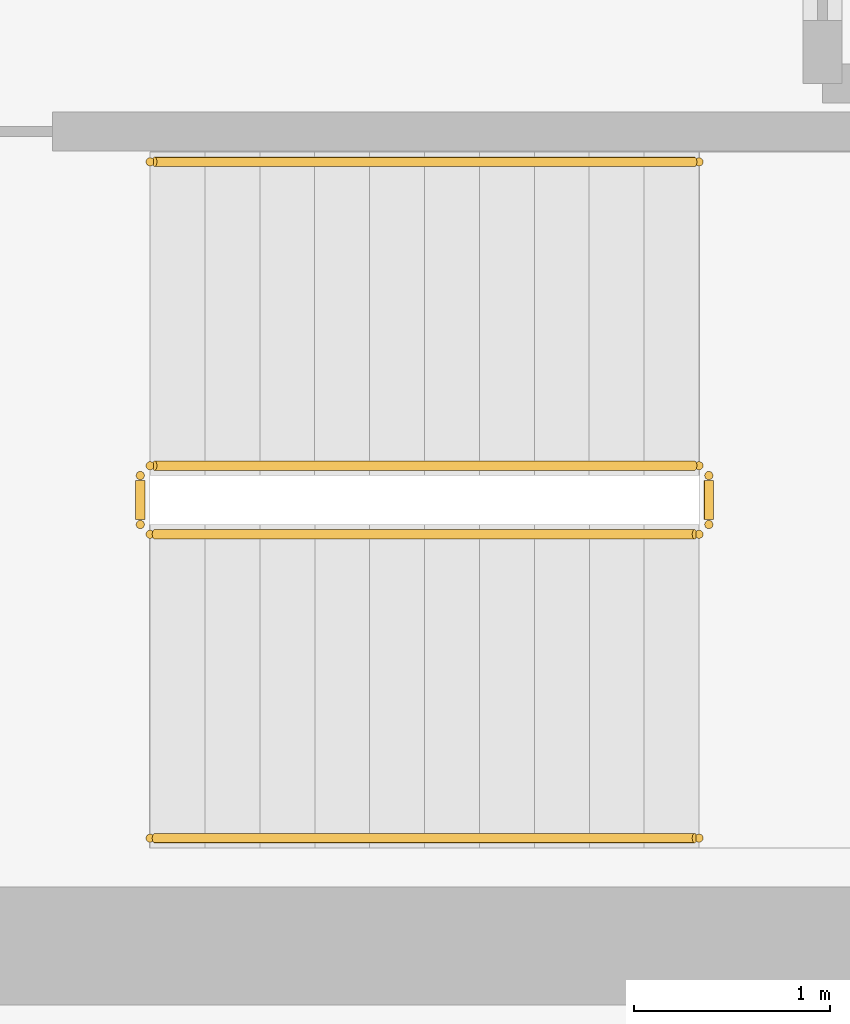
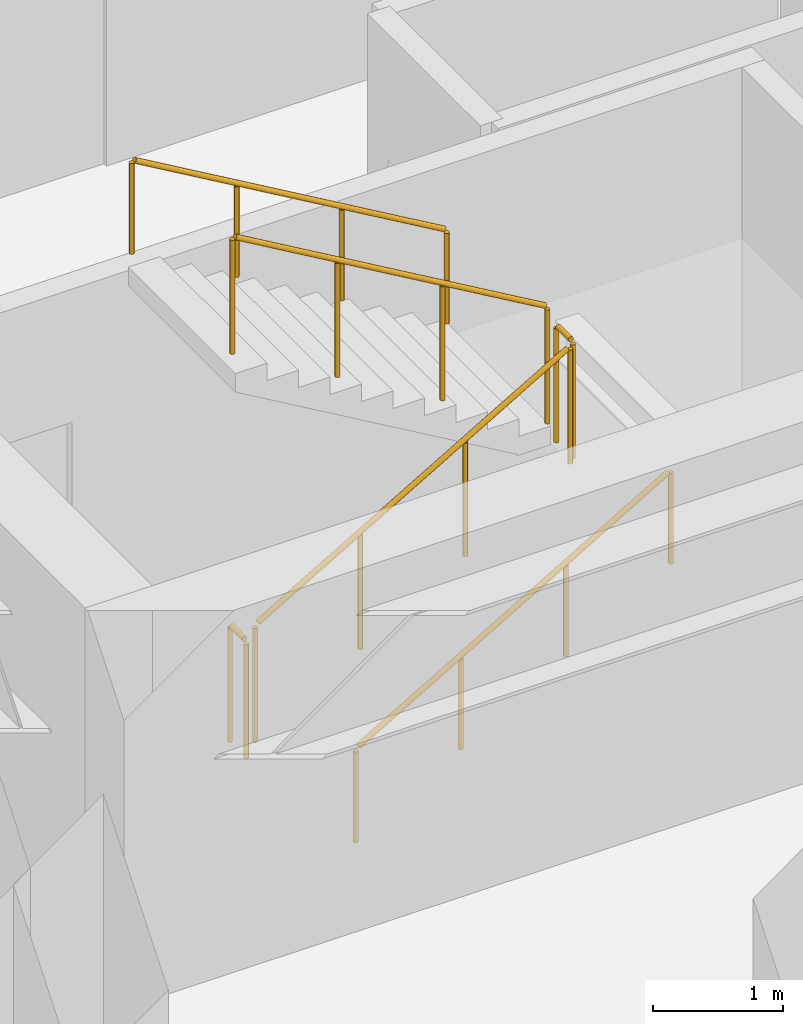
# One storey, part 13 of 13: 6 railings.
"""IFC4 building model written with IfcOpenShell, lengths in metres."""

from ifc_helpers import new_model, si_unit, direction, frame, origin, origin_2d, place, context, subcontext, project, spatial, circle, extrude, source, transform, mapped, material, layer, layer_set, type_object, element, save


model = new_model("IFC4")

# Units and contexts
model_context = context("Model", 3, precision=1e-05, world=origin(), true_north=direction((0.0, 1.0)))
body_context = subcontext(model_context, "Body", "Model", "MODEL_VIEW")
ifc_project = project(units=[si_unit("LENGTHUNIT", "METRE"), si_unit("AREAUNIT", "SQUARE_METRE"), si_unit("VOLUMEUNIT", "CUBIC_METRE"), si_unit("PLANEANGLEUNIT", "RADIAN"), si_unit("MASSUNIT", "GRAM", prefix="KILO")], contexts=[model_context])

# Site, building, storey
site_placement = place(None, origin())
site = spatial("IfcSite", under=ifc_project, at=site_placement, CompositionType="ELEMENT")
building_placement = place(site_placement, origin())
building = spatial("IfcBuilding", under=site, at=building_placement, Name="Kharzan Plaza Tower", CompositionType="ELEMENT")
storey_placement = place(building_placement, frame((0.0, 0.0, 189.89990234375)))
storey = spatial("IfcBuildingStorey", under=building, at=storey_placement, Name="L51", CompositionType="ELEMENT", Elevation=189.89990234375)

# Railings
ifc_material_1 = material(Name="Painted Galvanized Architectural Steel", Category="steel")
ifc_layer_1 = layer(ifc_material_1, 0.074951171875)
ifc_layer_set_1 = layer_set([ifc_layer_1], Name="Painted Galvanized Architectural Steel")
railing_type_1 = type_object("IfcRailingType", Name="RL-GUARD-1120", PredefinedType="BALUSTRADE", material=ifc_layer_set_1)
shared_shape_1 = source(origin(), body_context, "Body", "SweptSolid", [
    extrude(circle(Radius=0.02392578125, at=origin_2d()), frame((0.0, 0.0263671875, 1.09619140625), z_axis=(0.0, 1.0, 0.0), x_axis=(-1.0, 0.0, 0.0)), (0.0, 0.0, 1.0), 0.197021484375),
    extrude(circle(Radius=0.02099609375, at=origin_2d()), origin(), (0.0, 0.0, 1.0), 1.072021484375),
    extrude(circle(Radius=0.02099609375, at=origin_2d()), frame((0.0, 0.25, 0.0)), (0.0, 0.0, 1.0), 1.072021484375),
])
for number, where, name in (
    (1, (41.10009765625, 6.64990234375, 1.800048828125), "L51 ST-3 stair guard 2"),
    (2, (38.199951171875, 6.64990234375, 0.0), "L51 ST-3 stair guard 4"),
):
    element("IfcRailing", number, at=place(storey_placement, frame(where)), inside=storey, type_object=railing_type_1, Name=name, PredefinedType="BALUSTRADE", context=body_context, shape_type="MappedRepresentation", body=[
        mapped(shared_shape_1, transform((0.0, 0.0, 0.0), x_axis=(1.0, 0.0, 0.0), y_axis=(0.0, 1.0, 0.0), z_axis=(0.0, 0.0, 1.0))),
    ])
shared_shape_2 = source(origin(), body_context, "Body", "SweptSolid", [
    extrude(circle(Radius=0.02392578125, at=origin_2d()), frame((-0.02294921875, 0.0, 1.109375), z_axis=(-0.863360870873, 0.0, 0.504586966384), x_axis=(0.0, -1.0, 0.0)), (0.0, 0.0, 1.0), 3.190185546875),
    extrude(circle(Radius=0.02099609375, at=origin_2d()), origin(), (0.0, 0.0, 1.0), 1.072021484375),
    extrude(circle(Radius=0.02099609375, at=origin_2d()), frame((-0.933349609375, 0.0, 0.54541015625)), (0.0, 0.0, 1.0), 1.072021484375),
    extrude(circle(Radius=0.02099609375, at=origin_2d()), frame((-1.86669921875, 0.0, 1.091064453125)), (0.0, 0.0, 1.0), 1.072021484375),
    extrude(circle(Radius=0.02099609375, at=origin_2d()), frame((-2.800048828125, 0.0, 1.636474609375)), (0.0, 0.0, 1.0), 1.072021484375),
])
railing_1_placement = place(storey_placement, frame((41.050048828125, 6.949951171875, 1.963623046875)))
element("IfcRailing", 3, at=railing_1_placement, inside=storey, type_object=railing_type_1, Name="L51 ST-3 stair guard 3", PredefinedType="BALUSTRADE", context=body_context, shape_type="MappedRepresentation", body=[
    mapped(shared_shape_2, transform((0.0, 0.0, 0.0), x_axis=(1.0, 0.0, 0.0), y_axis=(0.0, 1.0, 0.0), z_axis=(0.0, 0.0, 1.0))),
])
ifc_material_2 = material(Name="Brushed Stainless Steel", Category="steel")
ifc_layer_2 = layer(ifc_material_2, 0.050048828125)
ifc_layer_set_2 = layer_set([ifc_layer_2], Name="Brushed Stainless Steel")
railing_type_2 = type_object("IfcRailingType", Name="RL-STAIR-HR920", PredefinedType="HANDRAIL", material=ifc_layer_set_2)
shared_shape_3 = source(origin(), body_context, "Body", "SweptSolid", [
    extrude(circle(Radius=0.02392578125, at=origin_2d()), frame((-0.02294921875, 0.0, 0.88916015625), z_axis=(-0.863360870873, 0.0, 0.504586966384), x_axis=(0.0, -1.0, 0.0)), (0.0, 0.0, 1.0), 3.190185546875),
    extrude(circle(Radius=0.02099609375, at=origin_2d()), origin(), (0.0, 0.0, 1.0), 0.851806640625),
    extrude(circle(Radius=0.02099609375, at=origin_2d()), frame((-0.933349609375, 0.0, 0.54541015625)), (0.0, 0.0, 1.0), 0.851806640625),
    extrude(circle(Radius=0.02099609375, at=origin_2d()), frame((-1.86669921875, 0.0, 1.091064453125)), (0.0, 0.0, 1.0), 0.851806640625),
    extrude(circle(Radius=0.02099609375, at=origin_2d()), frame((-2.800048828125, 0.0, 1.636474609375)), (0.0, 0.0, 1.0), 0.851806640625),
])
railing_2_placement = place(storey_placement, frame((41.050048828125, 8.5, 1.963623046875)))
element("IfcRailing", 4, at=railing_2_placement, inside=storey, type_object=railing_type_2, Name="L51 ST-3 stair handrail 2", PredefinedType="HANDRAIL", context=body_context, shape_type="MappedRepresentation", body=[
    mapped(shared_shape_3, transform((0.0, 0.0, 0.0), x_axis=(1.0, 0.0, 0.0), y_axis=(0.0, 1.0, 0.0), z_axis=(0.0, 0.0, 1.0))),
])
shared_shape_4 = source(origin(), body_context, "Body", "SweptSolid", [
    extrude(circle(Radius=0.02392578125, at=origin_2d()), frame((0.02294921875, 0.0, 1.109375), z_axis=(0.863393664356, 0.0, 0.504530851732), x_axis=(0.0, 1.0, 0.0)), (0.0, 0.0, 1.0), 3.190185546875),
    extrude(circle(Radius=0.02099609375, at=origin_2d()), origin(), (0.0, 0.0, 1.0), 1.072021484375),
    extrude(circle(Radius=0.02099609375, at=origin_2d()), frame((0.933349609375, 0.0, 0.54541015625)), (0.0, 0.0, 1.0), 1.072021484375),
    extrude(circle(Radius=0.02099609375, at=origin_2d()), frame((1.86669921875, 0.0, 1.0908203125)), (0.0, 0.0, 1.0), 1.072021484375),
    extrude(circle(Radius=0.02099609375, at=origin_2d()), frame((2.800048828125, 0.0, 1.63623046875)), (0.0, 0.0, 1.0), 1.072021484375),
])
railing_3_placement = place(storey_placement, frame((38.25, 6.60009765625, 0.163818359375)))
element("IfcRailing", 5, at=railing_3_placement, inside=storey, type_object=railing_type_1, Name="L51 ST-3 stair guard 1", PredefinedType="BALUSTRADE", context=body_context, shape_type="MappedRepresentation", body=[
    mapped(shared_shape_4, transform((0.0, 0.0, 0.0), x_axis=(1.0, 0.0, 0.0), y_axis=(0.0, 1.0, 0.0), z_axis=(0.0, 0.0, 1.0))),
])
shared_shape_5 = source(origin(), body_context, "Body", "SweptSolid", [
    extrude(circle(Radius=0.02392578125, at=origin_2d()), frame((0.02294921875, 0.0, 0.88916015625), z_axis=(0.863393664356, 0.0, 0.504530851732), x_axis=(0.0, 1.0, 0.0)), (0.0, 0.0, 1.0), 3.190185546875),
    extrude(circle(Radius=0.02099609375, at=origin_2d()), origin(), (0.0, 0.0, 1.0), 0.851806640625),
    extrude(circle(Radius=0.02099609375, at=origin_2d()), frame((0.933349609375, 0.0, 0.54541015625)), (0.0, 0.0, 1.0), 0.851806640625),
    extrude(circle(Radius=0.02099609375, at=origin_2d()), frame((1.86669921875, 0.0, 1.0908203125)), (0.0, 0.0, 1.0), 0.851806640625),
    extrude(circle(Radius=0.02099609375, at=origin_2d()), frame((2.800048828125, 0.0, 1.63623046875)), (0.0, 0.0, 1.0), 0.851806640625),
])
railing_4_placement = place(storey_placement, frame((38.25, 5.050048828125, 0.163818359375)))
element("IfcRailing", 6, at=railing_4_placement, inside=storey, type_object=railing_type_2, Name="L51 ST-3 stair handrail 1", PredefinedType="HANDRAIL", context=body_context, shape_type="MappedRepresentation", body=[
    mapped(shared_shape_5, transform((0.0, 0.0, 0.0), x_axis=(1.0, 0.0, 0.0), y_axis=(0.0, 1.0, 0.0), z_axis=(0.0, 0.0, 1.0))),
])

save(model, "model.ifc")
